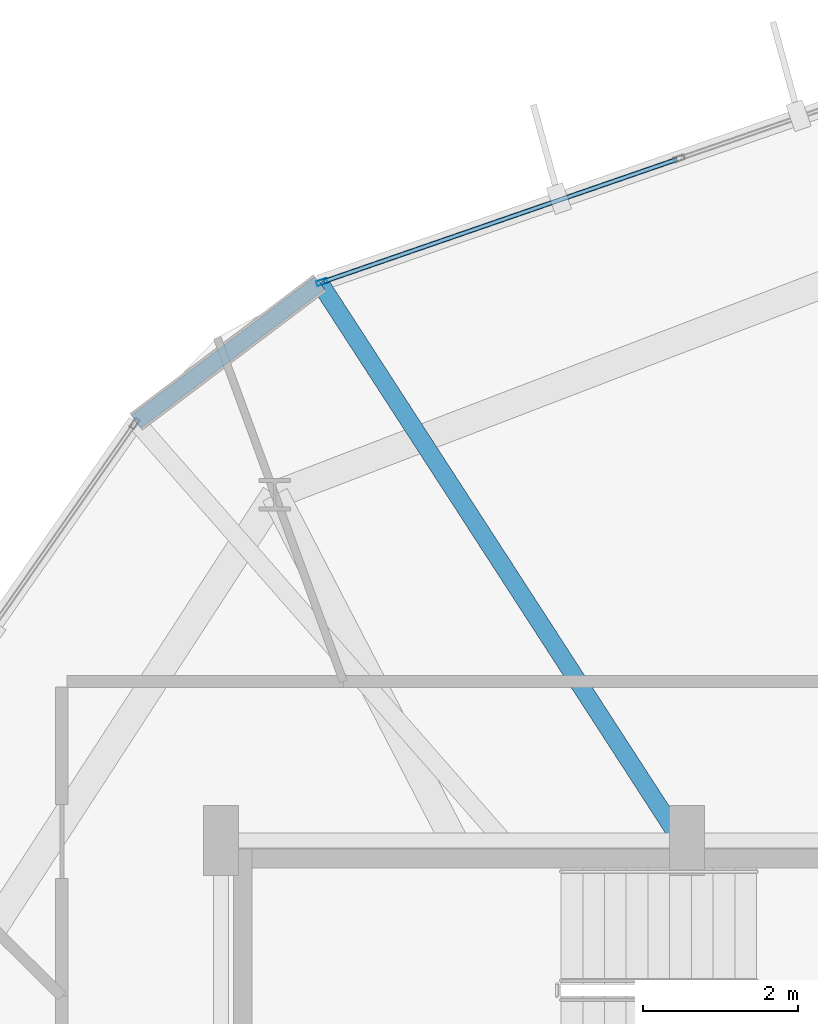
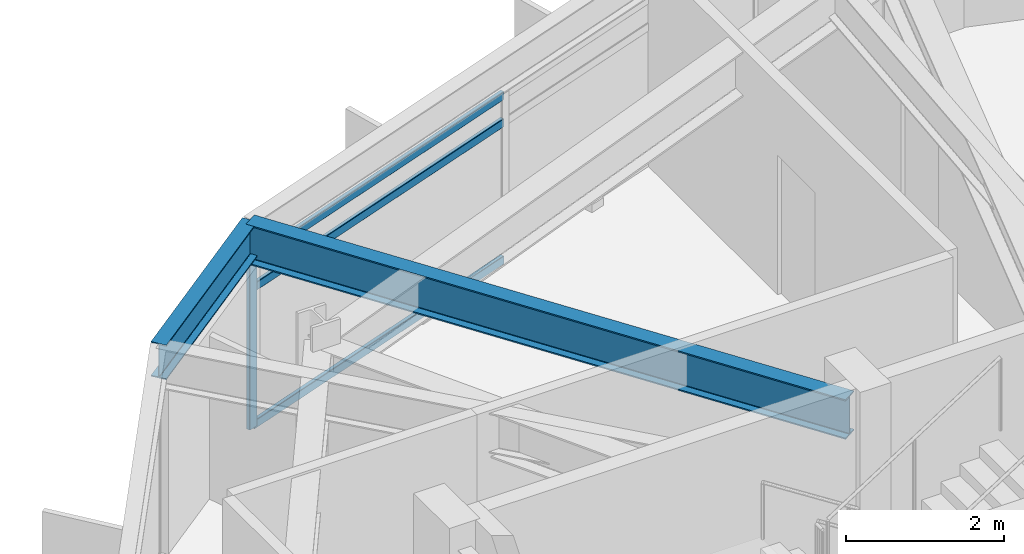
# One storey, part 20 of 34: 4 members, 2 beams, 1 element without a shape of its own.
"""IFC4 building model written with IfcOpenShell, lengths in metres."""

from ifc_helpers import new_model, si_unit, direction, frame, origin, origin_2d, place, context, subcontext, project, spatial, hollow_rectangle, i_section, extrude, material, layer, layer_set, material_profile, profile_set, type_object, element, aggregate, save


model = new_model("IFC4")

# Units and contexts
model_context = context("Model", 3, precision=1e-05, world=origin(), true_north=direction((0.0, 1.0)))
body_context = subcontext(model_context, "Body", "Model", "MODEL_VIEW")
ifc_project = project(units=[si_unit("LENGTHUNIT", "METRE"), si_unit("AREAUNIT", "SQUARE_METRE"), si_unit("VOLUMEUNIT", "CUBIC_METRE"), si_unit("PLANEANGLEUNIT", "RADIAN"), si_unit("MASSUNIT", "GRAM", prefix="KILO")], contexts=[model_context])

# Site, building, storey
site_placement = place(None, origin())
site = spatial("IfcSite", under=ifc_project, at=site_placement, CompositionType="ELEMENT")
building_placement = place(site_placement, origin())
building = spatial("IfcBuilding", under=site, at=building_placement, Name="Soratama Intermodal Tower", CompositionType="ELEMENT")
storey_placement = place(building_placement, frame((0.0, 0.0, 233.800048828125)))
storey = spatial("IfcBuildingStorey", under=building, at=storey_placement, Name="L59", CompositionType="ELEMENT", Elevation=233.800048828125)

# Beams
ifc_material_1 = material(Name="Structural steel ASTM A992 Grade 50", Category="steel")
ifc_material_profile_1 = material_profile(ifc_material_1, i_section(OverallWidth=0.2099609375, OverallDepth=0.537109375, WebThickness=0.010986328125, FlangeThickness=0.017333984375, FilletRadius=0.012939453125, at=origin_2d()), Name="W21X68")
ifc_profile_set_1 = profile_set([ifc_material_profile_1], Name="Structural steel ASTM A992 Grade 50")
beam_type_1 = type_object("IfcBeamType", Name="BM-SPN-W21X68", PredefinedType="SPANDREL", material=ifc_profile_set_1)
beam_1_placement = place(storey_placement, frame((33.873046875, 42.18408203125, 2.951416015625), z_axis=(-0.797752974566, -0.602984404086, 0.0), x_axis=(0.602984404086, -0.797752974566, 0.0)))
element("IfcBeam", 1, at=beam_1_placement, inside=storey, type_object=beam_type_1, Name="BS-L59-CRN02", PredefinedType="SPANDREL", context=body_context, shape_type="SweptSolid", body=[
    extrude(i_section(OverallWidth=0.2099609375, OverallDepth=0.537109375, WebThickness=0.010986328125, FlangeThickness=0.017333984375, FilletRadius=0.012939453125, at=origin_2d()), origin(), (0.0, 0.0, 1.0), 2.967041015625),
])
ifc_material_2 = material(Name="Structural steel ASTM A992 Grade 50", Category="steel")
ifc_material_profile_2 = material_profile(ifc_material_2, i_section(OverallWidth=0.22900390625, OverallDepth=0.612060546875, WebThickness=0.011962890625, FlangeThickness=0.01953125, FilletRadius=0.012939453125, at=origin_2d()), Name="W24X84")
ifc_profile_set_2 = profile_set([ifc_material_profile_2], Name="Structural steel ASTM A992 Grade 50")
beam_type_2 = type_object("IfcBeamType", Name="BM-TIE-W24X84", PredefinedType="BEAM", material=ifc_profile_set_2)
beam_2_placement = place(storey_placement, frame((38.5029296875, 35.033935546875, 2.9140625), z_axis=(-0.543525764847, 0.839392484448, 0.0), x_axis=(-0.839392484448, -0.543525764847, 0.0)))
element("IfcBeam", 2, at=beam_2_placement, inside=storey, type_object=beam_type_2, Name="BM-L59-TIE1-02", PredefinedType="BEAM", context=body_context, shape_type="SweptSolid", body=[
    extrude(i_section(OverallWidth=0.22900390625, OverallDepth=0.612060546875, WebThickness=0.011962890625, FlangeThickness=0.01953125, FilletRadius=0.012939453125, at=origin_2d()), origin(), (0.0, 0.0, 1.0), 8.518310546875),
])

# Curtain wall, members
ifc_material_3 = material(Name="Double-glazed aluminium curtain wall", Category="aluminium")
ifc_layer = layer(ifc_material_3, 0.159912109375)
ifc_layer_set = layer_set([ifc_layer], Name="Double-glazed aluminium curtain wall")
curtain_wall_type = type_object("IfcCurtainWallType", Name="CW-SYS-5", PredefinedType="NOTDEFINED", material=ifc_layer_set)
curtain_wall_placement = place(storey_placement, origin())
curtain_wall = element("IfcCurtainWall", 3, at=curtain_wall_placement, inside=storey, type_object=curtain_wall_type, Name="L59 Faceted Curtain Wall F02", PredefinedType="NOTDEFINED")
ifc_material_4 = material(Name="Anodised aluminium AA 6063-T6", Category="aluminium")
ifc_material_profile_3 = material_profile(ifc_material_4, hollow_rectangle(XDim=0.06494140625, YDim=0.139892578125, WallThickness=0.0048828125, InnerFilletRadius=0.0048828125, OuterFilletRadius=0.010009765625, at=origin_2d()), Name="CWM140X65X5")
ifc_profile_set_3 = profile_set([ifc_material_profile_3], Name="Anodised aluminium AA 6063-T6")
member_type_1 = type_object("IfcMemberType", Name="MT-CWM-5", PredefinedType="MULLION", material=ifc_profile_set_3)
member_1_placement = place(storey_placement, frame((33.901123046875, 42.193603515625, 0.0), z_axis=(0.0, 0.0, 1.0), x_axis=(0.326893913141, -0.945061040119, 0.0)))
member_1 = element("IfcMember", 4, at=member_1_placement, type_object=member_type_1, Name="CW-5 mullion 3", PredefinedType="MULLION", context=body_context, shape_type="SweptSolid", body=[
    extrude(hollow_rectangle(XDim=0.06494140625, YDim=0.139892578125, WallThickness=0.0048828125, InnerFilletRadius=0.0048828125, OuterFilletRadius=0.010009765625, at=origin_2d()), origin(), (0.0, 0.0, 1.0), 2.598876953125),
])
ifc_material_5 = material(Name="Anodised aluminium AA 6063-T6", Category="aluminium")
ifc_material_profile_4 = material_profile(ifc_material_5, hollow_rectangle(XDim=0.06005859375, YDim=0.1298828125, WallThickness=0.0048828125, InnerFilletRadius=0.0048828125, OuterFilletRadius=0.010009765625, at=origin_2d()), Name="CWT130X60X5")
ifc_profile_set_4 = profile_set([ifc_material_profile_4], Name="Anodised aluminium AA 6063-T6")
member_type_2 = type_object("IfcMemberType", Name="TT-CWT-2", PredefinedType="USERDEFINED", material=ifc_profile_set_4)
member_2_placement = place(storey_placement, frame((38.47412109375, 43.775390625, 0.030029296875), z_axis=(-0.945059084363, -0.326899567242, 0.0), x_axis=(0.326899567242, -0.945059084363, 0.0)))
member_2 = element("IfcMember", 5, at=member_2_placement, type_object=member_type_2, Name="CW-5 transom 2.1", ObjectType="TRANSOM", PredefinedType="USERDEFINED", context=body_context, shape_type="SweptSolid", body=[
    extrude(hollow_rectangle(XDim=0.06005859375, YDim=0.1298828125, WallThickness=0.0048828125, InnerFilletRadius=0.0048828125, OuterFilletRadius=0.010009765625, at=origin_2d()), origin(), (0.0, 0.0, 1.0), 4.808837890625),
])
member_3_placement = place(storey_placement, frame((38.47412109375, 43.775390625, 2.14990234375), z_axis=(-0.945059084363, -0.326899567242, 0.0), x_axis=(0.326899567242, -0.945059084363, 0.0)))
member_3 = element("IfcMember", 6, at=member_3_placement, type_object=member_type_2, Name="CW-5 transom 2.2", ObjectType="TRANSOM", PredefinedType="USERDEFINED", context=body_context, shape_type="SweptSolid", body=[
    extrude(hollow_rectangle(XDim=0.06005859375, YDim=0.1298828125, WallThickness=0.0048828125, InnerFilletRadius=0.0048828125, OuterFilletRadius=0.010009765625, at=origin_2d()), origin(), (0.0, 0.0, 1.0), 4.808837890625),
])
member_4_placement = place(storey_placement, frame((38.47412109375, 43.775390625, 2.56884765625), z_axis=(-0.945059084363, -0.326899567242, 0.0), x_axis=(0.326899567242, -0.945059084363, 0.0)))
member_4 = element("IfcMember", 7, at=member_4_placement, type_object=member_type_2, Name="CW-5 transom 2.3", ObjectType="TRANSOM", PredefinedType="USERDEFINED", context=body_context, shape_type="SweptSolid", body=[
    extrude(hollow_rectangle(XDim=0.06005859375, YDim=0.1298828125, WallThickness=0.0048828125, InnerFilletRadius=0.0048828125, OuterFilletRadius=0.010009765625, at=origin_2d()), origin(), (0.0, 0.0, 1.0), 4.808837890625),
])
aggregate(curtain_wall, [member_1, member_2, member_3, member_4])

save(model, "model.ifc")
